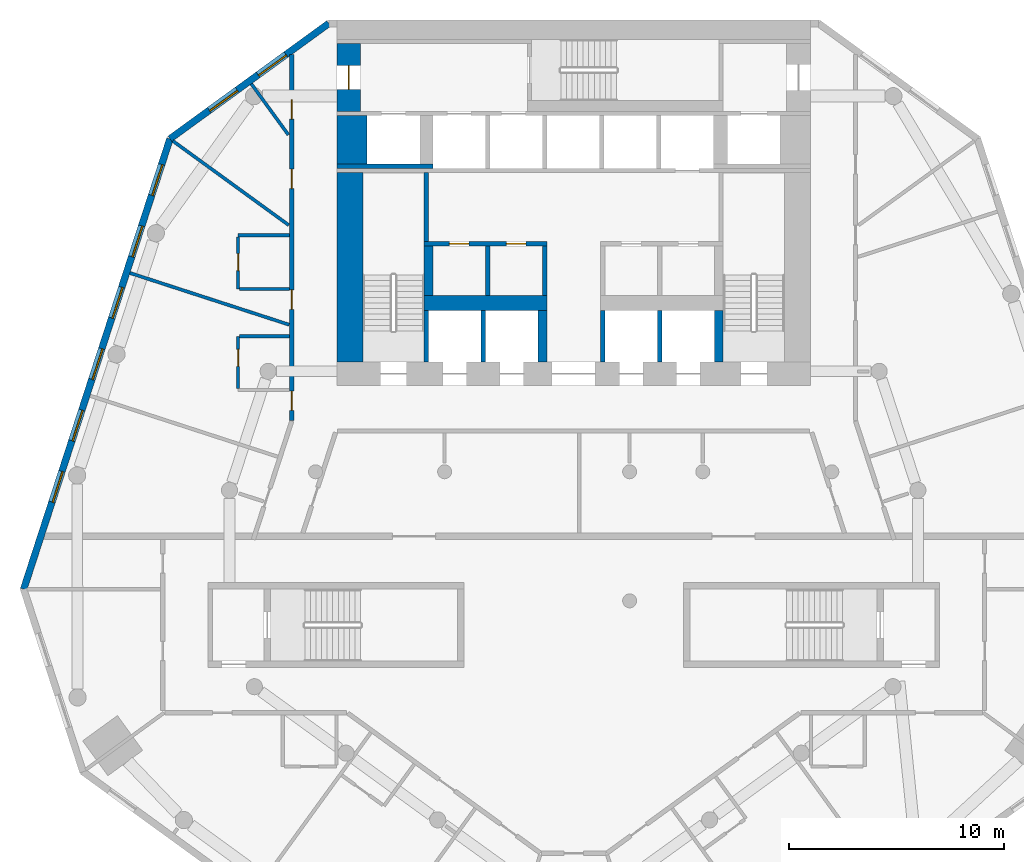
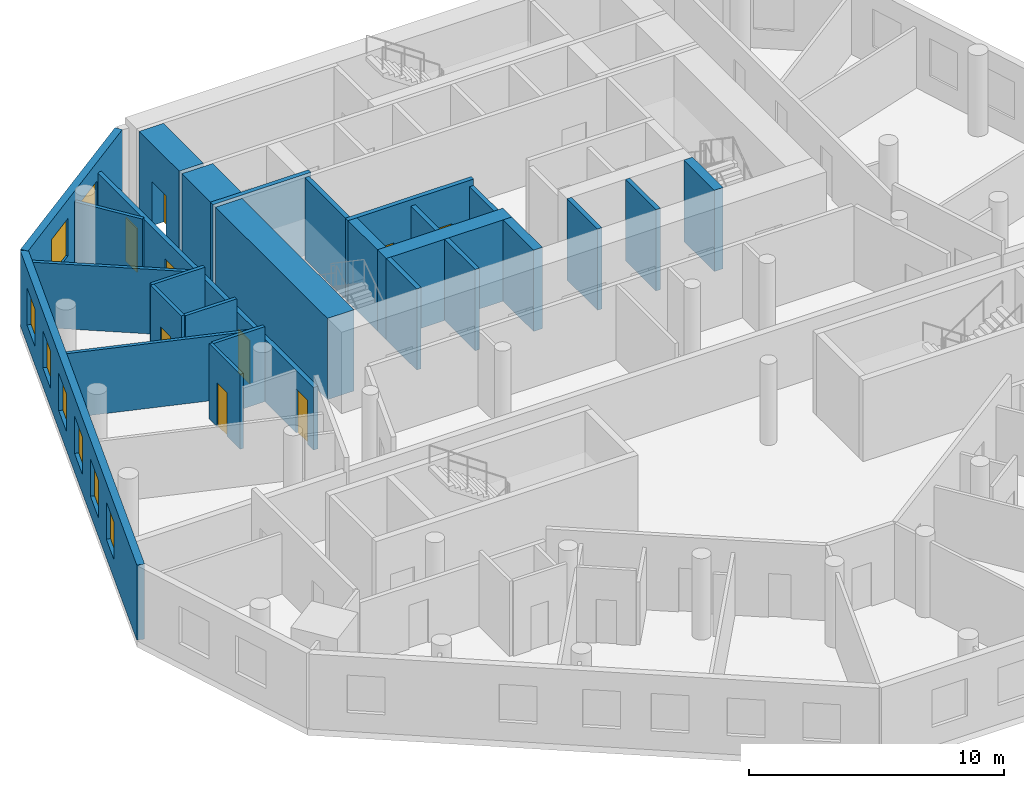
# One storey, part 5 of 9: 27 walls, 9 doors, 8 windows, 17 openings.
"""IFC4 building model written with IfcOpenShell, lengths in metres."""

from ifc_helpers import new_model, si_unit, direction, frame, frame_2d, origin, place, context, subcontext, project, spatial, rectangle, extrude, material, layer, layer_set, type_object, element, fill, save


model = new_model("IFC4")

# Units and contexts
model_context = context("Model", 3, precision=1e-05, world=origin(), true_north=direction((0.0, 1.0)))
body_context = subcontext(model_context, "Body", "Model", "MODEL_VIEW")
ifc_project = project(units=[si_unit("LENGTHUNIT", "METRE"), si_unit("AREAUNIT", "SQUARE_METRE"), si_unit("VOLUMEUNIT", "CUBIC_METRE"), si_unit("PLANEANGLEUNIT", "RADIAN"), si_unit("MASSUNIT", "GRAM", prefix="KILO")], contexts=[model_context])

# Site, building, storey
site_placement = place(None, origin())
site = spatial("IfcSite", under=ifc_project, at=site_placement, CompositionType="ELEMENT")
building_placement = place(site_placement, origin())
building = spatial("IfcBuilding", under=site, at=building_placement, Name="White Candle Pilgrim Tower", CompositionType="ELEMENT")
storey_placement = place(building_placement, frame((0.0, 0.0, 122.0)))
storey = spatial("IfcBuildingStorey", under=building, at=storey_placement, Name="L27", CompositionType="ELEMENT", Elevation=122.0)

# Wall, opening, door
ifc_material_1 = material(Name="Concrete C60/75", Category="concrete")
ifc_layer_1 = layer(ifc_material_1, 1.10009765625)
ifc_layer_set_1 = layer_set([ifc_layer_1], Name="Core wall 1100 mm Concrete C60/75")
wall_type_1 = type_object("IfcWallType", Name="Core wall 1100 mm Concrete C60/75", PredefinedType="SHEAR", material=ifc_layer_set_1)
wall_1_placement = place(storey_placement, frame((59.550048828125, 83.75, 0.0), z_axis=(0.0, 0.0, 1.0), x_axis=(0.0, 1.0, 0.0)))
wall_1 = element("IfcWall", 1, at=wall_1_placement, inside=storey, type_object=wall_type_1, Name="WL-L27-C44", PredefinedType="SHEAR", context=body_context, shape_type="SweptSolid", body=[
    extrude(rectangle(XDim=3.14990234375, YDim=1.10009765625, at=frame_2d((1.574951171875, 0.0))), origin(), (0.0, 0.0, 1.0), 3.89990234375),
])
opening_1_placement = place(wall_1_placement, frame((1.02490234375, 0.0, 0.0)))
opening_1 = element("IfcOpeningElement", 2, at=opening_1_placement, cuts=wall_1, Name="Opening T08-005", PredefinedType="OPENING", context=body_context, shape_type="SweptSolid", body=[
    extrude(rectangle(XDim=1.10009765625, YDim=2.10009765625, at=frame_2d((0.550048828125, 1.050048828125))), frame((0.0, 0.56005859375, 0.0), z_axis=(0.0, -1.0, 0.0), x_axis=(1.0, 0.0, 0.0)), (0.0, 0.0, 1.0), 1.1201171875),
])
ifc_material_2 = material(Name="Steel door leaf", Category="steel")
door_type_1 = type_object("IfcDoorType", Name="Fire door 1100 x 2100 EI 60", OperationType="NOTDEFINED", PredefinedType="DOOR", material=ifc_material_2)
door_1_placement = place(opening_1_placement, origin())
door_1 = element("IfcDoor", 3, at=door_1_placement, inside=storey, type_object=door_type_1, Name="Door T08-005", OperationType="SINGLE_SWING_LEFT", OverallHeight=2.10009765625, OverallWidth=1.10009765625, PredefinedType="DOOR", context=body_context, shape_type="SweptSolid", body=[
    extrude(rectangle(XDim=1.10009765625, YDim=2.10009765625, at=frame_2d((0.550048828125, 1.050048828125))), frame((0.0, 0.02490234375, 0.0), z_axis=(0.0, -1.0, 0.0), x_axis=(1.0, 0.0, 0.0)), (0.0, 0.0, 1.0), 0.050048828125),
])
fill(opening_1, door_1)

# Walls
ifc_layer_2 = layer(ifc_material_1, 1.39990234375)
ifc_layer_set_2 = layer_set([ifc_layer_2], Name="Core wall 1400 mm Concrete C60/75")
wall_type_2 = type_object("IfcWallType", Name="Core wall 1400 mm Concrete C60/75", PredefinedType="SHEAR", material=ifc_layer_set_2)
wall_2_placement = place(storey_placement, frame((59.699951171875, 81.300048828125, 0.0), z_axis=(0.0, 0.0, 1.0), x_axis=(0.0, 1.0, 0.0)))
element("IfcWall", 4, at=wall_2_placement, inside=storey, type_object=wall_type_2, Name="WL-L27-C39", PredefinedType="SHEAR", context=body_context, shape_type="SweptSolid", body=[
    extrude(rectangle(XDim=2.25, YDim=1.39990234375, at=frame_2d((1.125, 0.0))), origin(), (0.0, 0.0, 1.0), 3.89990234375),
])
ifc_layer_3 = layer(ifc_material_1, 0.199951171875)
ifc_layer_set_3 = layer_set([ifc_layer_3], Name="Core wall 200 mm Concrete C60/75")
wall_type_3 = type_object("IfcWallType", Name="Core wall 200 mm Concrete C60/75", PredefinedType="SHEAR", material=ifc_layer_set_3)
wall_3_placement = place(storey_placement, frame((59.0, 81.199951171875, 0.0), z_axis=(0.0, 0.0, 1.0), x_axis=(1.0, 0.0, 0.0)))
element("IfcWall", 5, at=wall_3_placement, inside=storey, type_object=wall_type_3, Name="WL-L27-C33", PredefinedType="SHEAR", context=body_context, shape_type="SweptSolid", body=[
    extrude(rectangle(XDim=4.449951171875, YDim=0.199951171875, at=frame_2d((2.22509765625, 0.0))), origin(), (0.0, 0.0, 1.0), 3.89990234375),
])

# Wall, openings, doors
ifc_material_3 = material(Name="Gypsum board on steel studs", Category="steel")
ifc_layer_4 = layer(ifc_material_3, 0.199951171875)
ifc_layer_set_4 = layer_set([ifc_layer_4], Name="Corridor wall 200 mm EI 45")
wall_type_4 = type_object("IfcWallType", Name="Corridor wall 200 mm EI 45", PredefinedType="PARTITIONING", material=ifc_layer_set_4)
wall_4_placement = place(storey_placement, frame((56.89990234375, 69.385009765625, 0.0), z_axis=(0.0, 0.0, 1.0), x_axis=(0.0, 1.0, 0.0)))
wall_4 = element("IfcWall", 6, at=wall_4_placement, inside=storey, type_object=wall_type_4, Name="WL-L27-P003", PredefinedType="PARTITIONING", context=body_context, shape_type="SweptSolid", body=[
    extrude(rectangle(XDim=17.01123046875, YDim=0.199951171875, at=frame_2d((8.505615234375, 0.0))), origin(), (0.0, 0.0, 1.0), 3.0),
])
opening_2_placement = place(wall_4_placement, frame((0.467041015625, 0.0, 0.0)))
opening_2 = element("IfcOpeningElement", 7, at=opening_2_placement, cuts=wall_4, Name="Opening T08-120", PredefinedType="OPENING", context=body_context, shape_type="SweptSolid", body=[
    extrude(rectangle(XDim=0.89990234375, YDim=2.10009765625, at=frame_2d((0.449951171875, 1.050048828125))), frame((0.0, 0.10986328125, 0.0), z_axis=(0.0, -1.0, 0.0), x_axis=(1.0, 0.0, 0.0)), (0.0, 0.0, 1.0), 0.219970703125),
])
opening_3_placement = place(wall_4_placement, frame((5.169189453125, 0.0, 0.0)))
opening_3 = element("IfcOpeningElement", 8, at=opening_3_placement, cuts=wall_4, Name="Opening T08-121", PredefinedType="OPENING", context=body_context, shape_type="SweptSolid", body=[
    extrude(rectangle(XDim=0.89990234375, YDim=2.10009765625, at=frame_2d((0.449951171875, 1.050048828125))), frame((0.0, 0.10986328125, 0.0), z_axis=(0.0, -1.0, 0.0), x_axis=(1.0, 0.0, 0.0)), (0.0, 0.0, 1.0), 0.219970703125),
])
opening_4_placement = place(wall_4_placement, frame((10.779296875, 0.0, 0.0)))
opening_4 = element("IfcOpeningElement", 9, at=opening_4_placement, cuts=wall_4, Name="Opening T08-122", PredefinedType="OPENING", context=body_context, shape_type="SweptSolid", body=[
    extrude(rectangle(XDim=0.89990234375, YDim=2.10009765625, at=frame_2d((0.449951171875, 1.050048828125))), frame((0.0, 0.10986328125, 0.0), z_axis=(0.0, -1.0, 0.0), x_axis=(1.0, 0.0, 0.0)), (0.0, 0.0, 1.0), 0.219970703125),
])
opening_5_placement = place(wall_4_placement, frame((14.009521484375, 0.0, 0.0)))
opening_5 = element("IfcOpeningElement", 10, at=opening_5_placement, cuts=wall_4, Name="Opening T08-123", PredefinedType="OPENING", context=body_context, shape_type="SweptSolid", body=[
    extrude(rectangle(XDim=0.89990234375, YDim=2.10009765625, at=frame_2d((0.449951171875, 1.050048828125))), frame((0.0, 0.10986328125, 0.0), z_axis=(0.0, -1.0, 0.0), x_axis=(1.0, 0.0, 0.0)), (0.0, 0.0, 1.0), 0.219970703125),
])
door_type_2 = type_object("IfcDoorType", Name="Fire door 900 x 2100 EI 30", OperationType="NOTDEFINED", PredefinedType="DOOR", material=ifc_material_2)
door_2_placement = place(opening_2_placement, frame((0.89990234375, 0.0, 0.0), z_axis=(0.0, 0.0, 1.0), x_axis=(-1.0, 0.0, 0.0)))
door_2 = element("IfcDoor", 11, at=door_2_placement, inside=storey, type_object=door_type_2, Name="Door T08-120", OperationType="SINGLE_SWING_LEFT", OverallHeight=2.10009765625, OverallWidth=0.89990234375, PredefinedType="DOOR", context=body_context, shape_type="SweptSolid", body=[
    extrude(rectangle(XDim=0.89990234375, YDim=2.10009765625, at=frame_2d((0.449951171875, 1.050048828125))), frame((0.0, 0.02490234375, 0.0), z_axis=(0.0, -1.0, 0.0), x_axis=(1.0, 0.0, 0.0)), (0.0, 0.0, 1.0), 0.050048828125),
])
fill(opening_2, door_2)
door_3_placement = place(opening_3_placement, frame((0.89990234375, 0.0, 0.0), z_axis=(0.0, 0.0, 1.0), x_axis=(-1.0, 0.0, 0.0)))
door_3 = element("IfcDoor", 12, at=door_3_placement, inside=storey, type_object=door_type_2, Name="Door T08-121", OperationType="SINGLE_SWING_RIGHT", OverallHeight=2.10009765625, OverallWidth=0.89990234375, PredefinedType="DOOR", context=body_context, shape_type="SweptSolid", body=[
    extrude(rectangle(XDim=0.89990234375, YDim=2.10009765625, at=frame_2d((0.449951171875, 1.050048828125))), frame((0.0, 0.02490234375, 0.0), z_axis=(0.0, -1.0, 0.0), x_axis=(1.0, 0.0, 0.0)), (0.0, 0.0, 1.0), 0.050048828125),
])
fill(opening_3, door_3)
door_4_placement = place(opening_4_placement, origin())
door_4 = element("IfcDoor", 13, at=door_4_placement, inside=storey, type_object=door_type_2, Name="Door T08-122", OperationType="SINGLE_SWING_RIGHT", OverallHeight=2.10009765625, OverallWidth=0.89990234375, PredefinedType="DOOR", context=body_context, shape_type="SweptSolid", body=[
    extrude(rectangle(XDim=0.89990234375, YDim=2.10009765625, at=frame_2d((0.449951171875, 1.050048828125))), frame((0.0, 0.02490234375, 0.0), z_axis=(0.0, -1.0, 0.0), x_axis=(1.0, 0.0, 0.0)), (0.0, 0.0, 1.0), 0.050048828125),
])
fill(opening_4, door_4)
door_5_placement = place(opening_5_placement, origin())
door_5 = element("IfcDoor", 14, at=door_5_placement, inside=storey, type_object=door_type_2, Name="Door T08-123", OperationType="SINGLE_SWING_LEFT", OverallHeight=2.10009765625, OverallWidth=0.89990234375, PredefinedType="DOOR", context=body_context, shape_type="SweptSolid", body=[
    extrude(rectangle(XDim=0.89990234375, YDim=2.10009765625, at=frame_2d((0.449951171875, 1.050048828125))), frame((0.0, 0.02490234375, 0.0), z_axis=(0.0, -1.0, 0.0), x_axis=(1.0, 0.0, 0.0)), (0.0, 0.0, 1.0), 0.050048828125),
])
fill(opening_5, door_5)

# Wall, openings, windows
ifc_material_4 = material(Name="Precast concrete C40/50", Category="concrete")
ifc_layer_5 = layer(ifc_material_4, 0.320068359375)
ifc_layer_set_5 = layer_set([ifc_layer_5], Name="Facade wall EW1 precast concrete C40/50 pier wall with timber-lined reveals")
wall_type_5 = type_object("IfcWallType", Name="Facade wall EW1 precast concrete C40/50 pier wall with timber-lined reveals", PredefinedType="SOLIDWALL", material=ifc_layer_set_5)
wall_5_placement = place(storey_placement, frame((58.614990234375, 87.840087890625, 0.0), z_axis=(0.0, 0.0, 1.0), x_axis=(-0.809013684675, -0.587789807677, 0.0)))
wall_5 = element("IfcWall", 15, at=wall_5_placement, inside=storey, type_object=wall_type_5, Name="Facade wall L27 NW chamfer", PredefinedType="SOLIDWALL", context=body_context, shape_type="SweptSolid", body=[
    extrude(rectangle(XDim=9.12451171875, YDim=0.320068359375, at=frame_2d((4.562255859375, 0.0))), origin(), (0.0, 0.0, 1.0), 3.60009765625),
])
opening_6_placement = place(wall_5_placement, frame((2.459716796875, 0.0, 0.89990234375)))
opening_6 = element("IfcOpeningElement", 16, at=opening_6_placement, cuts=wall_5, Name="Opening W2", PredefinedType="OPENING", context=body_context, shape_type="SweptSolid", body=[
    extrude(rectangle(XDim=1.60009765625, YDim=1.800048828125, at=frame_2d((0.800048828125, 0.89990234375))), frame((0.0, 0.169921875, 0.0), z_axis=(0.0, -1.0, 0.0), x_axis=(1.0, 0.0, 0.0)), (0.0, 0.0, 1.0), 0.340087890625),
])
opening_7_placement = place(wall_5_placement, frame((5.26220703125, 0.0, 0.89990234375)))
opening_7 = element("IfcOpeningElement", 17, at=opening_7_placement, cuts=wall_5, Name="Opening W2", PredefinedType="OPENING", context=body_context, shape_type="SweptSolid", body=[
    extrude(rectangle(XDim=1.60009765625, YDim=1.800048828125, at=frame_2d((0.800048828125, 0.89990234375))), frame((0.0, 0.169921875, 0.0), z_axis=(0.0, -1.0, 0.0), x_axis=(1.0, 0.0, 0.0)), (0.0, 0.0, 1.0), 0.340087890625),
])
ifc_material_5 = material(Name="Timber frame with triple glazing", Category="wood")
window_type_1 = type_object("IfcWindowType", Name="Window W2 1600x1800 timber frame triple glazing", PartitioningType="SINGLE_PANEL", PredefinedType="WINDOW", material=ifc_material_5)
window_1_placement = place(opening_6_placement, origin())
window_1 = element("IfcWindow", 18, at=window_1_placement, inside=storey, type_object=window_type_1, Name="Window W2 L27 NW chamfer 1", OverallHeight=1.800048828125, OverallWidth=1.60009765625, PartitioningType="SINGLE_PANEL", PredefinedType="WINDOW", context=body_context, shape_type="SweptSolid", body=[
    extrude(rectangle(XDim=1.60009765625, YDim=1.800048828125, at=frame_2d((0.800048828125, 0.89990234375))), frame((0.0, 0.070068359375, 0.0), z_axis=(0.0, -1.0, 0.0), x_axis=(1.0, 0.0, 0.0)), (0.0, 0.0, 1.0), 0.06005859375),
])
fill(opening_6, window_1)
window_2_placement = place(opening_7_placement, origin())
window_2 = element("IfcWindow", 19, at=window_2_placement, inside=storey, type_object=window_type_1, Name="Window W2 L27 NW chamfer 2", OverallHeight=1.800048828125, OverallWidth=1.60009765625, PartitioningType="SINGLE_PANEL", PredefinedType="WINDOW", context=body_context, shape_type="SweptSolid", body=[
    extrude(rectangle(XDim=1.60009765625, YDim=1.800048828125, at=frame_2d((0.800048828125, 0.89990234375))), frame((0.0, 0.070068359375, 0.0), z_axis=(0.0, -1.0, 0.0), x_axis=(1.0, 0.0, 0.0)), (0.0, 0.0, 1.0), 0.06005859375),
])
fill(opening_7, window_2)

wall_6_placement = place(storey_placement, frame((51.233154296875, 82.476806640625, 0.0), z_axis=(0.0, 0.0, 1.0), x_axis=(-0.309014593053, -0.951057296529, 0.0)))
wall_6 = element("IfcWall", 20, at=wall_6_placement, inside=storey, type_object=wall_type_5, Name="Facade wall L27 WNW", PredefinedType="SOLIDWALL", context=body_context, shape_type="SweptSolid", body=[
    extrude(rectangle(XDim=22.01123046875, YDim=0.320068359375, at=frame_2d((11.005615234375, 0.0))), origin(), (0.0, 0.0, 1.0), 3.60009765625),
])
opening_8_placement = place(wall_6_placement, frame((1.255615234375, 0.0, 0.89990234375)))
opening_8 = element("IfcOpeningElement", 21, at=opening_8_placement, cuts=wall_6, Name="Opening W1", PredefinedType="OPENING", context=body_context, shape_type="SweptSolid", body=[
    extrude(rectangle(XDim=1.5, YDim=1.800048828125, at=frame_2d((0.75, 0.89990234375))), frame((0.0, 0.169921875, 0.0), z_axis=(0.0, -1.0, 0.0), x_axis=(1.0, 0.0, 0.0)), (0.0, 0.0, 1.0), 0.340087890625),
])
opening_9_placement = place(wall_6_placement, frame((4.255615234375, 0.0, 0.89990234375)))
opening_9 = element("IfcOpeningElement", 22, at=opening_9_placement, cuts=wall_6, Name="Opening W1", PredefinedType="OPENING", context=body_context, shape_type="SweptSolid", body=[
    extrude(rectangle(XDim=1.5, YDim=1.800048828125, at=frame_2d((0.75, 0.89990234375))), frame((0.0, 0.169921875, 0.0), z_axis=(0.0, -1.0, 0.0), x_axis=(1.0, 0.0, 0.0)), (0.0, 0.0, 1.0), 0.340087890625),
])
opening_10_placement = place(wall_6_placement, frame((7.255615234375, 0.0, 0.89990234375)))
opening_10 = element("IfcOpeningElement", 23, at=opening_10_placement, cuts=wall_6, Name="Opening W1", PredefinedType="OPENING", context=body_context, shape_type="SweptSolid", body=[
    extrude(rectangle(XDim=1.5, YDim=1.800048828125, at=frame_2d((0.75, 0.89990234375))), frame((0.0, 0.169921875, 0.0), z_axis=(0.0, -1.0, 0.0), x_axis=(1.0, 0.0, 0.0)), (0.0, 0.0, 1.0), 0.340087890625),
])
opening_11_placement = place(wall_6_placement, frame((10.255615234375, 0.0, 0.89990234375)))
opening_11 = element("IfcOpeningElement", 24, at=opening_11_placement, cuts=wall_6, Name="Opening W1", PredefinedType="OPENING", context=body_context, shape_type="SweptSolid", body=[
    extrude(rectangle(XDim=1.5, YDim=1.800048828125, at=frame_2d((0.75, 0.89990234375))), frame((0.0, 0.169921875, 0.0), z_axis=(0.0, -1.0, 0.0), x_axis=(1.0, 0.0, 0.0)), (0.0, 0.0, 1.0), 0.340087890625),
])
opening_12_placement = place(wall_6_placement, frame((13.255615234375, 0.0, 0.89990234375)))
opening_12 = element("IfcOpeningElement", 25, at=opening_12_placement, cuts=wall_6, Name="Opening W1", PredefinedType="OPENING", context=body_context, shape_type="SweptSolid", body=[
    extrude(rectangle(XDim=1.5, YDim=1.800048828125, at=frame_2d((0.75, 0.89990234375))), frame((0.0, 0.169921875, 0.0), z_axis=(0.0, -1.0, 0.0), x_axis=(1.0, 0.0, 0.0)), (0.0, 0.0, 1.0), 0.340087890625),
])
opening_13_placement = place(wall_6_placement, frame((16.255615234375, 0.0, 0.89990234375)))
opening_13 = element("IfcOpeningElement", 26, at=opening_13_placement, cuts=wall_6, Name="Opening W1", PredefinedType="OPENING", context=body_context, shape_type="SweptSolid", body=[
    extrude(rectangle(XDim=1.5, YDim=1.800048828125, at=frame_2d((0.75, 0.89990234375))), frame((0.0, 0.169921875, 0.0), z_axis=(0.0, -1.0, 0.0), x_axis=(1.0, 0.0, 0.0)), (0.0, 0.0, 1.0), 0.340087890625),
])
window_type_2 = type_object("IfcWindowType", Name="Window W1 1500x1800 timber frame triple glazing", PartitioningType="SINGLE_PANEL", PredefinedType="WINDOW", material=ifc_material_5)
window_3_placement = place(opening_8_placement, origin())
window_3 = element("IfcWindow", 27, at=window_3_placement, inside=storey, type_object=window_type_2, Name="Window W1 L27 WNW 1", OverallHeight=1.800048828125, OverallWidth=1.5, PartitioningType="SINGLE_PANEL", PredefinedType="WINDOW", context=body_context, shape_type="SweptSolid", body=[
    extrude(rectangle(XDim=1.5, YDim=1.800048828125, at=frame_2d((0.75, 0.89990234375))), frame((0.0, 0.070068359375, 0.0), z_axis=(0.0, -1.0, 0.0), x_axis=(1.0, 0.0, 0.0)), (0.0, 0.0, 1.0), 0.06005859375),
])
fill(opening_8, window_3)
window_4_placement = place(opening_9_placement, origin())
window_4 = element("IfcWindow", 28, at=window_4_placement, inside=storey, type_object=window_type_2, Name="Window W1 L27 WNW 2", OverallHeight=1.800048828125, OverallWidth=1.5, PartitioningType="SINGLE_PANEL", PredefinedType="WINDOW", context=body_context, shape_type="SweptSolid", body=[
    extrude(rectangle(XDim=1.5, YDim=1.800048828125, at=frame_2d((0.75, 0.89990234375))), frame((0.0, 0.070068359375, 0.0), z_axis=(0.0, -1.0, 0.0), x_axis=(1.0, 0.0, 0.0)), (0.0, 0.0, 1.0), 0.06005859375),
])
fill(opening_9, window_4)
window_5_placement = place(opening_10_placement, origin())
window_5 = element("IfcWindow", 29, at=window_5_placement, inside=storey, type_object=window_type_2, Name="Window W1 L27 WNW 3", OverallHeight=1.800048828125, OverallWidth=1.5, PartitioningType="SINGLE_PANEL", PredefinedType="WINDOW", context=body_context, shape_type="SweptSolid", body=[
    extrude(rectangle(XDim=1.5, YDim=1.800048828125, at=frame_2d((0.75, 0.89990234375))), frame((0.0, 0.070068359375, 0.0), z_axis=(0.0, -1.0, 0.0), x_axis=(1.0, 0.0, 0.0)), (0.0, 0.0, 1.0), 0.06005859375),
])
fill(opening_10, window_5)
window_6_placement = place(opening_11_placement, origin())
window_6 = element("IfcWindow", 30, at=window_6_placement, inside=storey, type_object=window_type_2, Name="Window W1 L27 WNW 4", OverallHeight=1.800048828125, OverallWidth=1.5, PartitioningType="SINGLE_PANEL", PredefinedType="WINDOW", context=body_context, shape_type="SweptSolid", body=[
    extrude(rectangle(XDim=1.5, YDim=1.800048828125, at=frame_2d((0.75, 0.89990234375))), frame((0.0, 0.070068359375, 0.0), z_axis=(0.0, -1.0, 0.0), x_axis=(1.0, 0.0, 0.0)), (0.0, 0.0, 1.0), 0.06005859375),
])
fill(opening_11, window_6)
window_7_placement = place(opening_12_placement, origin())
window_7 = element("IfcWindow", 31, at=window_7_placement, inside=storey, type_object=window_type_2, Name="Window W1 L27 WNW 5", OverallHeight=1.800048828125, OverallWidth=1.5, PartitioningType="SINGLE_PANEL", PredefinedType="WINDOW", context=body_context, shape_type="SweptSolid", body=[
    extrude(rectangle(XDim=1.5, YDim=1.800048828125, at=frame_2d((0.75, 0.89990234375))), frame((0.0, 0.070068359375, 0.0), z_axis=(0.0, -1.0, 0.0), x_axis=(1.0, 0.0, 0.0)), (0.0, 0.0, 1.0), 0.06005859375),
])
fill(opening_12, window_7)
window_8_placement = place(opening_13_placement, origin())
window_8 = element("IfcWindow", 32, at=window_8_placement, inside=storey, type_object=window_type_2, Name="Window W1 L27 WNW 6", OverallHeight=1.800048828125, OverallWidth=1.5, PartitioningType="SINGLE_PANEL", PredefinedType="WINDOW", context=body_context, shape_type="SweptSolid", body=[
    extrude(rectangle(XDim=1.5, YDim=1.800048828125, at=frame_2d((0.75, 0.89990234375))), frame((0.0, 0.070068359375, 0.0), z_axis=(0.0, -1.0, 0.0), x_axis=(1.0, 0.0, 0.0)), (0.0, 0.0, 1.0), 0.06005859375),
])
fill(opening_13, window_8)

# Walls
ifc_layer_6 = layer(ifc_material_3, 0.199951171875)
ifc_layer_set_6 = layer_set([ifc_layer_6], Name="Lobby wall 200 mm EI 60")
wall_type_6 = type_object("IfcWallType", Name="Lobby wall 200 mm EI 60", PredefinedType="PARTITIONING", material=ifc_layer_set_6)
for number, where, z_axis, x_axis, name in (
    (33, (66.0, 75.199951171875, 0.0), (0.0, 0.0, 1.0), (0.0, 1.0, 0.0), "WL-L27-C23"),
    (34, (68.64990234375, 75.199951171875, 0.0), (0.0, 0.0, 1.0), (0.0, 1.0, 0.0), "WL-L27-C24"),
):
    element("IfcWall", number, at=place(storey_placement, frame(where, z_axis=z_axis, x_axis=x_axis)), inside=storey, type_object=wall_type_6, Name=name, PredefinedType="PARTITIONING", context=body_context, shape_type="SweptSolid", body=[
        extrude(rectangle(XDim=2.300048828125, YDim=0.199951171875, at=frame_2d((1.14990234375, 0.0))), origin(), (0.0, 0.0, 1.0), 3.60009765625),
    ])
ifc_layer_7 = layer(ifc_material_3, 0.14990234375)
ifc_layer_set_7 = layer_set([ifc_layer_7], Name="Partition 150 mm EI 60")
wall_type_7 = type_object("IfcWallType", Name="Partition 150 mm EI 60", PredefinedType="PARTITIONING", material=ifc_layer_set_7)
wall_7_placement = place(storey_placement, frame((51.369140625, 82.3779296875, 0.0), z_axis=(0.0, 0.0, 1.0), x_axis=(0.809007131432, -0.587798827229, 0.0)))
element("IfcWall", 35, at=wall_7_placement, inside=storey, type_object=wall_type_7, Name="WL-L27-P016", PredefinedType="PARTITIONING", context=body_context, shape_type="SweptSolid", body=[
    extrude(rectangle(XDim=6.658447265625, YDim=0.14990234375, at=frame_2d((3.3291015625, 0.0))), origin(), (0.0, 0.0, 1.0), 3.10009765625),
])
wall_8_placement = place(storey_placement, frame((55.01806640625, 85.02880859375, 0.0), z_axis=(0.0, 0.0, 1.0), x_axis=(0.587804780277, -0.809002806103, 0.0)))
element("IfcWall", 36, at=wall_8_placement, inside=storey, type_object=wall_type_7, Name="WL-L27-P024", PredefinedType="PARTITIONING", context=body_context, shape_type="SweptSolid", body=[
    extrude(rectangle(XDim=2.92822265625, YDim=0.14990234375, at=frame_2d((1.464111328125, 0.0))), origin(), (0.0, 0.0, 1.0), 3.10009765625),
])
wall_9_placement = place(storey_placement, frame((49.375, 76.240234375, 0.0), z_axis=(0.0, 0.0, 1.0), x_axis=(0.951055735889, -0.309019396208, 0.0)))
element("IfcWall", 37, at=wall_9_placement, inside=storey, type_object=wall_type_7, Name="WL-L27-P025", PredefinedType="PARTITIONING", context=body_context, shape_type="SweptSolid", body=[
    extrude(rectangle(XDim=7.78271484375, YDim=0.14990234375, at=frame_2d((3.891357421875, 0.0))), origin(), (0.0, 0.0, 1.0), 3.10009765625),
])
wall_10_placement = place(storey_placement, frame((56.800048828125, 77.9951171875, 0.0), z_axis=(0.0, 0.0, 1.0), x_axis=(-1.0, 0.0, 0.0)))
element("IfcWall", 38, at=wall_10_placement, inside=storey, type_object=wall_type_7, Name="WL-L27-P027", PredefinedType="PARTITIONING", context=body_context, shape_type="SweptSolid", body=[
    extrude(rectangle(XDim=2.400146484375, YDim=0.14990234375, at=frame_2d((1.2001953125, 0.0))), origin(), (0.0, 0.0, 1.0), 3.60009765625),
])

# Wall, opening, door
wall_11_placement = place(storey_placement, frame((54.39990234375, 75.4951171875, 0.0), z_axis=(0.0, 0.0, 1.0), x_axis=(0.0, 1.0, 0.0)))
wall_11 = element("IfcWall", 39, at=wall_11_placement, inside=storey, type_object=wall_type_7, Name="WL-L27-P028", PredefinedType="PARTITIONING", context=body_context, shape_type="SweptSolid", body=[
    extrude(rectangle(XDim=2.425048828125, YDim=0.14990234375, at=frame_2d((1.21240234375, 0.0))), origin(), (0.0, 0.0, 1.0), 3.60009765625),
])
opening_14_placement = place(wall_11_placement, frame((0.85009765625, 0.0, 0.0)))
opening_14 = element("IfcOpeningElement", 40, at=opening_14_placement, cuts=wall_11, Name="Opening T08-101", PredefinedType="OPENING", context=body_context, shape_type="SweptSolid", body=[
    extrude(rectangle(XDim=0.800048828125, YDim=2.10009765625, at=frame_2d((0.39990234375, 1.050048828125))), frame((0.0, 0.0849609375, 0.0), z_axis=(0.0, -1.0, 0.0), x_axis=(1.0, 0.0, 0.0)), (0.0, 0.0, 1.0), 0.169921875),
])
door_type_3 = type_object("IfcDoorType", Name="Fire door 800 x 2100 EI 30", OperationType="NOTDEFINED", PredefinedType="DOOR", material=ifc_material_2)
door_6_placement = place(opening_14_placement, origin())
door_6 = element("IfcDoor", 41, at=door_6_placement, inside=storey, type_object=door_type_3, Name="Door T08-101", OperationType="SINGLE_SWING_LEFT", OverallHeight=2.10009765625, OverallWidth=0.800048828125, PredefinedType="DOOR", context=body_context, shape_type="SweptSolid", body=[
    extrude(rectangle(XDim=0.800048828125, YDim=2.10009765625, at=frame_2d((0.39990234375, 1.050048828125))), frame((0.0, 0.02490234375, 0.0), z_axis=(0.0, -1.0, 0.0), x_axis=(1.0, 0.0, 0.0)), (0.0, 0.0, 1.0), 0.050048828125),
])
fill(opening_14, door_6)

# Wall
wall_12_placement = place(storey_placement, frame((56.800048828125, 75.4951171875, 0.0), z_axis=(0.0, 0.0, 1.0), x_axis=(-1.0, 0.0, 0.0)))
element("IfcWall", 42, at=wall_12_placement, inside=storey, type_object=wall_type_7, Name="WL-L27-P029", PredefinedType="PARTITIONING", context=body_context, shape_type="SweptSolid", body=[
    extrude(rectangle(XDim=2.324951171875, YDim=0.14990234375, at=frame_2d((1.16259765625, 0.0))), origin(), (0.0, 0.0, 1.0), 3.60009765625),
])

# Wall, opening, door
wall_13_placement = place(storey_placement, frame((54.39990234375, 73.295166015625, 0.0), z_axis=(0.0, 0.0, 1.0), x_axis=(0.0, -1.0, 0.0)))
wall_13 = element("IfcWall", 43, at=wall_13_placement, inside=storey, type_object=wall_type_7, Name="WL-L27-P031", PredefinedType="PARTITIONING", context=body_context, shape_type="SweptSolid", body=[
    extrude(rectangle(XDim=2.425048828125, YDim=0.14990234375, at=frame_2d((1.21240234375, 0.0))), origin(), (0.0, 0.0, 1.0), 3.60009765625),
])
opening_15_placement = place(wall_13_placement, frame((0.60009765625, 0.0, 0.0)))
opening_15 = element("IfcOpeningElement", 44, at=opening_15_placement, cuts=wall_13, Name="Opening T08-102", PredefinedType="OPENING", context=body_context, shape_type="SweptSolid", body=[
    extrude(rectangle(XDim=0.800048828125, YDim=2.10009765625, at=frame_2d((0.39990234375, 1.050048828125))), frame((0.0, 0.0849609375, 0.0), z_axis=(0.0, -1.0, 0.0), x_axis=(1.0, 0.0, 0.0)), (0.0, 0.0, 1.0), 0.169921875),
])
door_7_placement = place(opening_15_placement, frame((0.800048828125, 0.0, 0.0), z_axis=(0.0, 0.0, 1.0), x_axis=(-1.0, 0.0, 0.0)))
door_7 = element("IfcDoor", 45, at=door_7_placement, inside=storey, type_object=door_type_3, Name="Door T08-102", OperationType="SINGLE_SWING_LEFT", OverallHeight=2.10009765625, OverallWidth=0.800048828125, PredefinedType="DOOR", context=body_context, shape_type="SweptSolid", body=[
    extrude(rectangle(XDim=0.800048828125, YDim=2.10009765625, at=frame_2d((0.39990234375, 1.050048828125))), frame((0.0, 0.02490234375, 0.0), z_axis=(0.0, -1.0, 0.0), x_axis=(1.0, 0.0, 0.0)), (0.0, 0.0, 1.0), 0.050048828125),
])
fill(opening_15, door_7)

# Walls
wall_14_placement = place(storey_placement, frame((56.800048828125, 73.295166015625, 0.0), z_axis=(0.0, 0.0, 1.0), x_axis=(-1.0, 0.0, 0.0)))
element("IfcWall", 46, at=wall_14_placement, inside=storey, type_object=wall_type_7, Name="WL-L27-P032", PredefinedType="PARTITIONING", context=body_context, shape_type="SweptSolid", body=[
    extrude(rectangle(XDim=2.324951171875, YDim=0.14990234375, at=frame_2d((1.16259765625, 0.0))), origin(), (0.0, 0.0, 1.0), 3.60009765625),
])
ifc_layer_8 = layer(ifc_material_1, 0.199951171875)
ifc_layer_set_8 = layer_set([ifc_layer_8], Name="Shaft wall 200 mm Concrete C60/75")
wall_type_8 = type_object("IfcWallType", Name="Shaft wall 200 mm Concrete C60/75", PredefinedType="SHEAR", material=ifc_layer_set_8)
for number, where, z_axis, x_axis, name in (
    (47, (65.800048828125, 72.10009765625, 0.0), (0.0, 0.0, 1.0), (0.0, 1.0, 0.0), "WL-L27-C14"),
    (48, (71.35009765625, 72.10009765625, 0.0), (0.0, 0.0, 1.0), (0.0, 1.0, 0.0), "WL-L27-C16"),
    (49, (74.0, 72.10009765625, 0.0), (0.0, 0.0, 1.0), (0.0, 1.0, 0.0), "WL-L27-C17"),
):
    element("IfcWall", number, at=place(storey_placement, frame(where, z_axis=z_axis, x_axis=x_axis)), inside=storey, type_object=wall_type_8, Name=name, PredefinedType="SHEAR", context=body_context, shape_type="SweptSolid", body=[
        extrude(rectangle(XDim=2.39990234375, YDim=0.199951171875, at=frame_2d((1.199951171875, 0.0))), origin(), (0.0, 0.0, 1.0), 3.89990234375),
    ])
ifc_layer_9 = layer(ifc_material_1, 0.39990234375)
ifc_layer_set_9 = layer_set([ifc_layer_9], Name="Shaft wall 400 mm Concrete C60/75")
wall_type_9 = type_object("IfcWallType", Name="Shaft wall 400 mm Concrete C60/75", PredefinedType="SHEAR", material=ifc_layer_set_9)
wall_15_placement = place(storey_placement, frame((68.550048828125, 72.10009765625, 0.0), z_axis=(0.0, 0.0, 1.0), x_axis=(0.0, 1.0, 0.0)))
element("IfcWall", 50, at=wall_15_placement, inside=storey, type_object=wall_type_9, Name="WL-L27-C15", PredefinedType="SHEAR", context=body_context, shape_type="SweptSolid", body=[
    extrude(rectangle(XDim=2.39990234375, YDim=0.39990234375, at=frame_2d((1.199951171875, 0.0))), origin(), (0.0, 0.0, 1.0), 3.89990234375),
])
ifc_layer_10 = layer(ifc_material_1, 1.199951171875)
ifc_layer_set_10 = layer_set([ifc_layer_10], Name="Stair shaft wall 1200 mm Concrete C60/75")
wall_type_10 = type_object("IfcWallType", Name="Stair shaft wall 1200 mm Concrete C60/75", PredefinedType="SHEAR", material=ifc_layer_set_10)
wall_16_placement = place(storey_placement, frame((59.60009765625, 72.10009765625, 0.0), z_axis=(0.0, 0.0, 1.0), x_axis=(0.0, 1.0, 0.0)))
element("IfcWall", 51, at=wall_16_placement, inside=storey, type_object=wall_type_10, Name="WL-L27-C12", PredefinedType="SHEAR", context=body_context, shape_type="SweptSolid", body=[
    extrude(rectangle(XDim=8.7998046875, YDim=1.199951171875, at=frame_2d((4.39990234375, 0.0))), origin(), (0.0, 0.0, 1.0), 3.89990234375),
])
ifc_layer_11 = layer(ifc_material_1, 0.199951171875)
ifc_layer_set_11 = layer_set([ifc_layer_11], Name="Stair shaft wall 200 mm Concrete C60/75")
wall_type_11 = type_object("IfcWallType", Name="Stair shaft wall 200 mm Concrete C60/75", PredefinedType="SHEAR", material=ifc_layer_set_11)
wall_17_placement = place(storey_placement, frame((63.14990234375, 72.10009765625, 0.0), z_axis=(0.0, 0.0, 1.0), x_axis=(0.0, 1.0, 0.0)))
element("IfcWall", 52, at=wall_17_placement, inside=storey, type_object=wall_type_11, Name="WL-L27-C13", PredefinedType="SHEAR", context=body_context, shape_type="SweptSolid", body=[
    extrude(rectangle(XDim=2.39990234375, YDim=0.199951171875, at=frame_2d((1.199951171875, 0.0))), origin(), (0.0, 0.0, 1.0), 3.89990234375),
])

# Wall, openings, doors
wall_18_placement = place(storey_placement, frame((63.050048828125, 77.60009765625, 0.0), z_axis=(0.0, 0.0, 1.0), x_axis=(1.0, 0.0, 0.0)))
wall_18 = element("IfcWall", 53, at=wall_18_placement, inside=storey, type_object=wall_type_11, Name="WL-L27-C28", PredefinedType="SHEAR", context=body_context, shape_type="SweptSolid", body=[
    extrude(rectangle(XDim=5.699951171875, YDim=0.199951171875, at=frame_2d((2.85009765625, 0.0))), origin(), (0.0, 0.0, 1.0), 3.89990234375),
])
opening_16_placement = place(wall_18_placement, frame((1.175048828125, 0.0, 0.0)))
opening_16 = element("IfcOpeningElement", 54, at=opening_16_placement, cuts=wall_18, Name="Opening T08-020", PredefinedType="OPENING", context=body_context, shape_type="SweptSolid", body=[
    extrude(rectangle(XDim=0.89990234375, YDim=2.10009765625, at=frame_2d((0.449951171875, 1.050048828125))), frame((0.0, 0.10986328125, 0.0), z_axis=(0.0, -1.0, 0.0), x_axis=(1.0, 0.0, 0.0)), (0.0, 0.0, 1.0), 0.219970703125),
])
opening_17_placement = place(wall_18_placement, frame((3.824951171875, 0.0, 0.0)))
opening_17 = element("IfcOpeningElement", 55, at=opening_17_placement, cuts=wall_18, Name="Opening T08-021", PredefinedType="OPENING", context=body_context, shape_type="SweptSolid", body=[
    extrude(rectangle(XDim=0.89990234375, YDim=2.10009765625, at=frame_2d((0.449951171875, 1.050048828125))), frame((0.0, 0.10986328125, 0.0), z_axis=(0.0, -1.0, 0.0), x_axis=(1.0, 0.0, 0.0)), (0.0, 0.0, 1.0), 0.219970703125),
])
door_8_placement = place(opening_16_placement, origin())
door_8 = element("IfcDoor", 56, at=door_8_placement, inside=storey, type_object=door_type_2, Name="Door T08-020", OperationType="SINGLE_SWING_RIGHT", OverallHeight=2.10009765625, OverallWidth=0.89990234375, PredefinedType="DOOR", context=body_context, shape_type="SweptSolid", body=[
    extrude(rectangle(XDim=0.89990234375, YDim=2.10009765625, at=frame_2d((0.449951171875, 1.050048828125))), frame((0.0, 0.02490234375, 0.0), z_axis=(0.0, -1.0, 0.0), x_axis=(1.0, 0.0, 0.0)), (0.0, 0.0, 1.0), 0.050048828125),
])
fill(opening_16, door_8)
door_9_placement = place(opening_17_placement, origin())
door_9 = element("IfcDoor", 57, at=door_9_placement, inside=storey, type_object=door_type_2, Name="Door T08-021", OperationType="SINGLE_SWING_LEFT", OverallHeight=2.10009765625, OverallWidth=0.89990234375, PredefinedType="DOOR", context=body_context, shape_type="SweptSolid", body=[
    extrude(rectangle(XDim=0.89990234375, YDim=2.10009765625, at=frame_2d((0.449951171875, 1.050048828125))), frame((0.0, 0.02490234375, 0.0), z_axis=(0.0, -1.0, 0.0), x_axis=(1.0, 0.0, 0.0)), (0.0, 0.0, 1.0), 0.050048828125),
])
fill(opening_17, door_9)

# Walls
wall_19_placement = place(storey_placement, frame((63.14990234375, 77.699951171875, 0.0), z_axis=(0.0, 0.0, 1.0), x_axis=(0.0, 1.0, 0.0)))
element("IfcWall", 58, at=wall_19_placement, inside=storey, type_object=wall_type_11, Name="WL-L27-C30", PredefinedType="SHEAR", context=body_context, shape_type="SweptSolid", body=[
    extrude(rectangle(XDim=3.199951171875, YDim=0.199951171875, at=frame_2d((1.60009765625, 0.0))), origin(), (0.0, 0.0, 1.0), 3.89990234375),
])
ifc_layer_12 = layer(ifc_material_1, 0.39990234375)
ifc_layer_set_12 = layer_set([ifc_layer_12], Name="Stair shaft wall 400 mm Concrete C60/75")
wall_type_12 = type_object("IfcWallType", Name="Stair shaft wall 400 mm Concrete C60/75", PredefinedType="SHEAR", material=ifc_layer_set_12)
wall_20_placement = place(storey_placement, frame((76.75, 72.10009765625, 0.0), z_axis=(0.0, 0.0, 1.0), x_axis=(0.0, 1.0, 0.0)))
element("IfcWall", 59, at=wall_20_placement, inside=storey, type_object=wall_type_12, Name="WL-L27-C18", PredefinedType="SHEAR", context=body_context, shape_type="SweptSolid", body=[
    extrude(rectangle(XDim=2.39990234375, YDim=0.39990234375, at=frame_2d((1.199951171875, 0.0))), origin(), (0.0, 0.0, 1.0), 3.89990234375),
])
wall_21_placement = place(storey_placement, frame((63.25, 75.199951171875, 0.0), z_axis=(0.0, 0.0, 1.0), x_axis=(0.0, 1.0, 0.0)))
element("IfcWall", 60, at=wall_21_placement, inside=storey, type_object=wall_type_12, Name="WL-L27-C22", PredefinedType="SHEAR", context=body_context, shape_type="SweptSolid", body=[
    extrude(rectangle(XDim=2.300048828125, YDim=0.39990234375, at=frame_2d((1.14990234375, 0.0))), origin(), (0.0, 0.0, 1.0), 3.89990234375),
])
ifc_layer_13 = layer(ifc_material_1, 0.699951171875)
ifc_layer_set_13 = layer_set([ifc_layer_13], Name="Stair shaft wall 700 mm Concrete C60/75")
wall_type_13 = type_object("IfcWallType", Name="Stair shaft wall 700 mm Concrete C60/75", PredefinedType="SHEAR", material=ifc_layer_set_13)
wall_22_placement = place(storey_placement, frame((63.050048828125, 74.85009765625, 0.0), z_axis=(0.0, 0.0, 1.0), x_axis=(1.0, 0.0, 0.0)))
element("IfcWall", 61, at=wall_22_placement, inside=storey, type_object=wall_type_13, Name="WL-L27-C20", PredefinedType="SHEAR", context=body_context, shape_type="SweptSolid", body=[
    extrude(rectangle(XDim=5.699951171875, YDim=0.699951171875, at=frame_2d((2.85009765625, 0.0))), origin(), (0.0, 0.0, 1.0), 3.89990234375),
])

save(model, "model.ifc")
